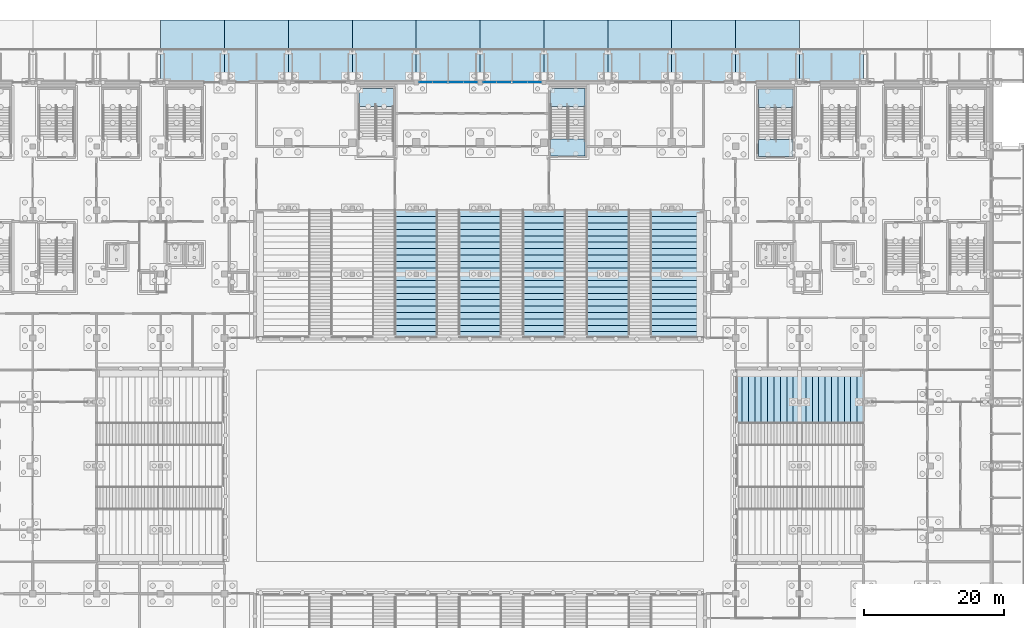
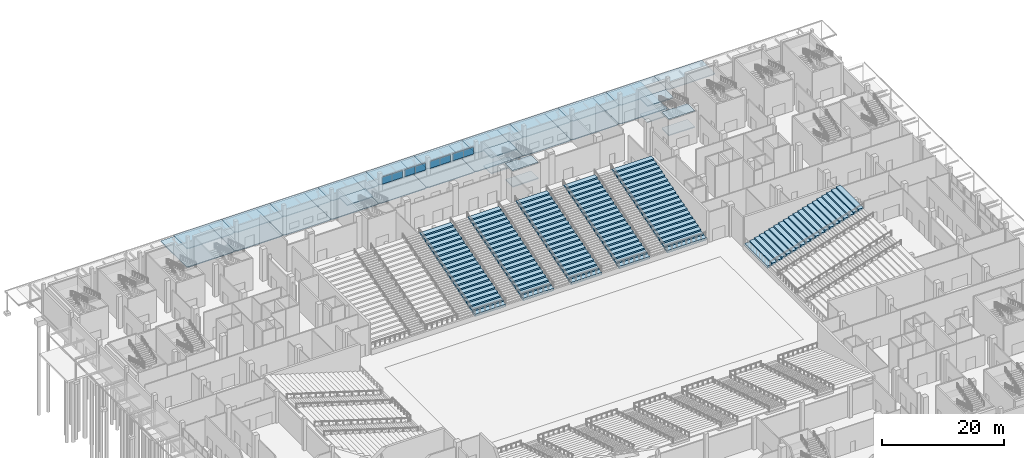
# One storey, part 64 of 129: 36 slabs, 8 plates, 7 elements without a shape of their own.
"""IFC4 building model written with IfcOpenShell, lengths in metres."""

from ifc_helpers import new_model, si_unit, direction, frame, origin, origin_2d, place, context, subcontext, project, spatial, polyline, rectangle, outline, extrude, material, layer, layer_set, type_object, element, aggregate, save


model = new_model("IFC4")

# Units and contexts
model_context = context("Model", 3, precision=1e-05, world=origin(), true_north=direction((0.0, 1.0)))
body_context = subcontext(model_context, "Body", "Model", "MODEL_VIEW")
ifc_project = project(units=[si_unit("LENGTHUNIT", "METRE"), si_unit("AREAUNIT", "SQUARE_METRE"), si_unit("VOLUMEUNIT", "CUBIC_METRE"), si_unit("PLANEANGLEUNIT", "RADIAN"), si_unit("MASSUNIT", "GRAM", prefix="KILO")], contexts=[model_context])

# Site, building, storey
site_placement = place(None, origin())
site = spatial("IfcSite", under=ifc_project, at=site_placement, CompositionType="ELEMENT")
building_placement = place(site_placement, origin())
building = spatial("IfcBuilding", under=site, at=building_placement, Name="Shirokan Park Arena", CompositionType="ELEMENT")
storey_placement = place(building_placement, origin())
storey = spatial("IfcBuildingStorey", under=building, at=storey_placement, Name="L00", CompositionType="ELEMENT", Elevation=0.0)

# Slabs
ifc_material_1 = material(Name="Zinc standing seam sheet")
ifc_layer_1 = layer(ifc_material_1, 0.0048828125, Name="Zinc standing seam sheet")
ifc_material_2 = material(Name="Mineral wool insulation")
ifc_layer_2 = layer(ifc_material_2, 0.050048828125, Name="Mineral wool insulation")
ifc_material_3 = material(Name="Cross-laminated timber deck", Category="wood")
ifc_layer_3 = layer(ifc_material_3, 0.094970703125, Name="Cross-laminated timber deck")
ifc_layer_set_1 = layer_set([ifc_layer_1, ifc_layer_2, ifc_layer_3], Name="Zinc standing seam sheet + Mineral wool insulation + Cross-laminated timber deck")
slab_type_1 = type_object("IfcSlabType", Name="Canopy deck 150", PredefinedType="ROOF", material=ifc_layer_set_1)
slab_1_placement = place(storey_placement, frame((0.0, 0.0, 3.60009765625)))
element("IfcSlab", 1, at=slab_1_placement, inside=storey, type_object=slab_type_1, Name="Canopy deck north bay 3", PredefinedType="ROOF", context=body_context, shape_type="SweptSolid", body=[
    extrude(outline(polyline([(118.574951171875, 109.35009765625), (118.574951171875, 109.47509765625), (118.300048828125, 109.47509765625), (118.300048828125, 113.85009765625), (127.39990234375, 113.85009765625), (127.39990234375, 109.47509765625), (127.125, 109.47509765625), (127.125, 109.35009765625), (118.574951171875, 109.35009765625)])), origin(), (0.0, 0.0, 1.0), 0.14990234375),
])
slab_2_placement = place(storey_placement, frame((0.0, 0.0, 3.60009765625)))
element("IfcSlab", 2, at=slab_2_placement, inside=storey, type_object=slab_type_1, Name="Canopy deck north bay 4", PredefinedType="ROOF", context=body_context, shape_type="SweptSolid", body=[
    extrude(outline(polyline([(109.52490234375, 109.35009765625), (109.52490234375, 109.52490234375), (109.199951171875, 109.52490234375), (109.199951171875, 113.85009765625), (118.300048828125, 113.85009765625), (118.300048828125, 109.47509765625), (118.02490234375, 109.47509765625), (118.02490234375, 109.35009765625), (109.52490234375, 109.35009765625)])), origin(), (0.0, 0.0, 1.0), 0.14990234375),
])
slab_3_placement = place(storey_placement, frame((0.0, 0.0, 3.60009765625)))
element("IfcSlab", 3, at=slab_3_placement, inside=storey, type_object=slab_type_1, Name="Canopy deck north bay 5", PredefinedType="ROOF", context=body_context, shape_type="SweptSolid", body=[
    extrude(outline(polyline([(100.425048828125, 109.35009765625), (100.425048828125, 109.52490234375), (100.10009765625, 109.52490234375), (100.10009765625, 113.85009765625), (109.199951171875, 113.85009765625), (109.199951171875, 109.52490234375), (108.875, 109.52490234375), (108.875, 109.35009765625), (100.425048828125, 109.35009765625)])), origin(), (0.0, 0.0, 1.0), 0.14990234375),
])
slab_4_placement = place(storey_placement, frame((0.0, 0.0, 3.60009765625)))
element("IfcSlab", 4, at=slab_4_placement, inside=storey, type_object=slab_type_1, Name="Canopy deck north bay 6", PredefinedType="ROOF", context=body_context, shape_type="SweptSolid", body=[
    extrude(outline(polyline([(91.324951171875, 109.35009765625), (91.324951171875, 109.52490234375), (91.0, 109.52490234375), (91.0, 113.85009765625), (100.10009765625, 113.85009765625), (100.10009765625, 109.52490234375), (99.77490234375, 109.52490234375), (99.77490234375, 109.35009765625), (91.324951171875, 109.35009765625)])), origin(), (0.0, 0.0, 1.0), 0.14990234375),
])
slab_5_placement = place(storey_placement, frame((0.0, 0.0, 3.60009765625)))
element("IfcSlab", 5, at=slab_5_placement, inside=storey, type_object=slab_type_1, Name="Canopy deck north bay 7", PredefinedType="ROOF", context=body_context, shape_type="SweptSolid", body=[
    extrude(outline(polyline([(82.199951171875, 109.35009765625), (82.199951171875, 109.5), (81.89990234375, 109.5), (81.89990234375, 113.85009765625), (91.0, 113.85009765625), (91.0, 109.52490234375), (90.675048828125, 109.52490234375), (90.675048828125, 109.35009765625), (82.199951171875, 109.35009765625)])), origin(), (0.0, 0.0, 1.0), 0.14990234375),
])
slab_6_placement = place(storey_placement, frame((0.0, 0.0, 3.60009765625)))
element("IfcSlab", 6, at=slab_6_placement, inside=storey, type_object=slab_type_1, Name="Canopy deck north bay 8", PredefinedType="ROOF", context=body_context, shape_type="SweptSolid", body=[
    extrude(outline(polyline([(73.125, 109.35009765625), (73.125, 109.52490234375), (72.800048828125, 109.52490234375), (72.800048828125, 113.85009765625), (81.89990234375, 113.85009765625), (81.89990234375, 109.5), (81.60009765625, 109.5), (81.60009765625, 109.35009765625), (73.125, 109.35009765625)])), origin(), (0.0, 0.0, 1.0), 0.14990234375),
])
slab_7_placement = place(storey_placement, frame((0.0, 0.0, 3.60009765625)))
element("IfcSlab", 7, at=slab_7_placement, inside=storey, type_object=slab_type_1, Name="Canopy deck north bay 9", PredefinedType="ROOF", context=body_context, shape_type="SweptSolid", body=[
    extrude(outline(polyline([(64.02490234375, 109.35009765625), (64.02490234375, 109.52490234375), (63.699951171875, 109.52490234375), (63.699951171875, 113.85009765625), (72.800048828125, 113.85009765625), (72.800048828125, 109.52490234375), (72.47509765625, 109.52490234375), (72.47509765625, 109.35009765625), (64.02490234375, 109.35009765625)])), origin(), (0.0, 0.0, 1.0), 0.14990234375),
])
slab_8_placement = place(storey_placement, frame((0.0, 0.0, 3.60009765625)))
element("IfcSlab", 8, at=slab_8_placement, inside=storey, type_object=slab_type_1, Name="Canopy deck north bay 10", PredefinedType="ROOF", context=body_context, shape_type="SweptSolid", body=[
    extrude(outline(polyline([(54.89990234375, 109.35009765625), (54.89990234375, 109.5), (54.60009765625, 109.5), (54.60009765625, 113.85009765625), (63.699951171875, 113.85009765625), (63.699951171875, 109.52490234375), (63.375, 109.52490234375), (63.375, 109.35009765625), (54.89990234375, 109.35009765625)])), origin(), (0.0, 0.0, 1.0), 0.14990234375),
])
slab_9_placement = place(storey_placement, frame((0.0, 0.0, 3.60009765625)))
element("IfcSlab", 9, at=slab_9_placement, inside=storey, type_object=slab_type_1, Name="Canopy deck north bay 11", PredefinedType="ROOF", context=body_context, shape_type="SweptSolid", body=[
    extrude(outline(polyline([(45.824951171875, 109.35009765625), (45.824951171875, 109.52490234375), (45.5, 109.52490234375), (45.5, 113.85009765625), (54.60009765625, 113.85009765625), (54.60009765625, 109.5), (54.300048828125, 109.5), (54.300048828125, 109.35009765625), (45.824951171875, 109.35009765625)])), origin(), (0.0, 0.0, 1.0), 0.14990234375),
])
slab_10_placement = place(storey_placement, frame((0.0, 0.0, 3.60009765625)))
element("IfcSlab", 10, at=slab_10_placement, inside=storey, type_object=slab_type_1, Name="Canopy deck north bay 12", PredefinedType="ROOF", context=body_context, shape_type="SweptSolid", body=[
    extrude(outline(polyline([(36.75, 109.35009765625), (36.75, 109.550048828125), (36.39990234375, 109.550048828125), (36.39990234375, 113.85009765625), (45.5, 113.85009765625), (45.5, 109.52490234375), (45.175048828125, 109.52490234375), (45.175048828125, 109.35009765625), (36.75, 109.35009765625)])), origin(), (0.0, 0.0, 1.0), 0.14990234375),
])
slab_11_placement = place(storey_placement, frame((0.0, 0.0, 3.60009765625)))
element("IfcSlab", 11, at=slab_11_placement, inside=storey, type_object=slab_type_1, Name="Canopy deck north bay 13", PredefinedType="ROOF", context=body_context, shape_type="SweptSolid", body=[
    extrude(outline(polyline([(27.574951171875, 109.35009765625), (27.574951171875, 109.47509765625), (27.300048828125, 109.47509765625), (27.300048828125, 113.85009765625), (36.39990234375, 113.85009765625), (36.39990234375, 109.550048828125), (36.050048828125, 109.550048828125), (36.050048828125, 109.35009765625), (27.574951171875, 109.35009765625)])), origin(), (0.0, 0.0, 1.0), 0.14990234375),
])

# Curtain wall, plates
ifc_material_4 = material(Name="Steel and glass curtain wall", Category="steel")
ifc_layer_4 = layer(ifc_material_4, 0.199951171875)
ifc_layer_set_2 = layer_set([ifc_layer_4], Name="Steel and glass curtain wall 200 mm")
curtain_wall_type = type_object("IfcCurtainWallType", Name="Curtain wall shopfront bay 200", PredefinedType="NOTDEFINED", material=ifc_layer_set_2)
curtain_wall_1_placement = place(storey_placement, origin())
curtain_wall_1 = element("IfcCurtainWall", 12, at=curtain_wall_1_placement, inside=storey, type_object=curtain_wall_type, Name="Curtain wall north bay 8 L00 clerestory 1", PredefinedType="NOTDEFINED")
ifc_material_5 = material(Name="Toughened glass", Category="glass")
ifc_layer_5 = layer(ifc_material_5, 0.012939453125, Name="Toughened glass")
ifc_material_6 = material(Name="Interlayer film")
ifc_layer_6 = layer(ifc_material_6, 0.001953125, Name="Interlayer film")
ifc_layer_7 = layer(ifc_material_5, 0.012939453125, Name="Toughened glass")
ifc_layer_set_3 = layer_set([ifc_layer_5, ifc_layer_6, ifc_layer_7], Name="Toughened glass + Interlayer film")
plate_type = type_object("IfcPlateType", Name="Laminated glass panel 28", PredefinedType="CURTAIN_PANEL", material=ifc_layer_set_3)
plate_1_placement = place(storey_placement, frame((80.5537109375, 109.25, 3.7900390625), z_axis=(0.0, 0.0, 1.0), x_axis=(-1.0, 0.0, 0.0)))
plate_1 = element("IfcPlate", 13, at=plate_1_placement, type_object=plate_type, Name="CW4 panel 1.1", PredefinedType="CURTAIN_PANEL", context=body_context, shape_type="SweptSolid", body=[
    extrude(rectangle(XDim=1.892578125, YDim=0.028076171875, at=origin_2d()), origin(), (0.0, 0.0, 1.0), 1.43994140625),
])
plate_2_placement = place(storey_placement, frame((78.561279296875, 109.25, 3.7900390625), z_axis=(0.0, 0.0, 1.0), x_axis=(-1.0, 0.0, 0.0)))
plate_2 = element("IfcPlate", 14, at=plate_2_placement, type_object=plate_type, Name="CW4 panel 2.1", PredefinedType="CURTAIN_PANEL", context=body_context, shape_type="SweptSolid", body=[
    extrude(rectangle(XDim=1.992431640625, YDim=0.028076171875, at=origin_2d()), origin(), (0.0, 0.0, 1.0), 1.43994140625),
])
aggregate(curtain_wall_1, [plate_1, plate_2])

curtain_wall_2_placement = place(storey_placement, origin())
curtain_wall_2 = element("IfcCurtainWall", 15, at=curtain_wall_2_placement, inside=storey, type_object=curtain_wall_type, Name="Curtain wall north bay 8 L00 clerestory 2", PredefinedType="NOTDEFINED")
plate_3_placement = place(storey_placement, frame((76.14501953125, 109.25, 3.7900390625), z_axis=(0.0, 0.0, 1.0), x_axis=(-1.0, 0.0, 0.0)))
plate_3 = element("IfcPlate", 16, at=plate_3_placement, type_object=plate_type, Name="CW4 panel 1.1", PredefinedType="CURTAIN_PANEL", context=body_context, shape_type="SweptSolid", body=[
    extrude(rectangle(XDim=1.97998046875, YDim=0.028076171875, at=origin_2d()), origin(), (0.0, 0.0, 1.0), 1.43994140625),
])
plate_4_placement = place(storey_placement, frame((74.1650390625, 109.25, 3.7900390625), z_axis=(0.0, 0.0, 1.0), x_axis=(-1.0, 0.0, 0.0)))
plate_4 = element("IfcPlate", 17, at=plate_4_placement, type_object=plate_type, Name="CW4 panel 2.1", PredefinedType="CURTAIN_PANEL", context=body_context, shape_type="SweptSolid", body=[
    extrude(rectangle(XDim=1.8798828125, YDim=0.028076171875, at=origin_2d()), origin(), (0.0, 0.0, 1.0), 1.43994140625),
])
aggregate(curtain_wall_2, [plate_3, plate_4])

curtain_wall_3_placement = place(storey_placement, origin())
curtain_wall_3 = element("IfcCurtainWall", 18, at=curtain_wall_3_placement, inside=storey, type_object=curtain_wall_type, Name="Curtain wall north bay 9 L00 clerestory 1", PredefinedType="NOTDEFINED")
plate_5_placement = place(storey_placement, frame((71.43505859375, 109.25, 3.7900390625), z_axis=(0.0, 0.0, 1.0), x_axis=(-1.0, 0.0, 0.0)))
plate_5 = element("IfcPlate", 19, at=plate_5_placement, type_object=plate_type, Name="CW4 panel 1.1", PredefinedType="CURTAIN_PANEL", context=body_context, shape_type="SweptSolid", body=[
    extrude(rectangle(XDim=1.8798828125, YDim=0.028076171875, at=origin_2d()), origin(), (0.0, 0.0, 1.0), 1.43994140625),
])
plate_6_placement = place(storey_placement, frame((69.455078125, 109.25, 3.7900390625), z_axis=(0.0, 0.0, 1.0), x_axis=(-1.0, 0.0, 0.0)))
plate_6 = element("IfcPlate", 20, at=plate_6_placement, type_object=plate_type, Name="CW4 panel 2.1", PredefinedType="CURTAIN_PANEL", context=body_context, shape_type="SweptSolid", body=[
    extrude(rectangle(XDim=1.97998046875, YDim=0.028076171875, at=origin_2d()), origin(), (0.0, 0.0, 1.0), 1.43994140625),
])
aggregate(curtain_wall_3, [plate_5, plate_6])

curtain_wall_4_placement = place(storey_placement, origin())
curtain_wall_4 = element("IfcCurtainWall", 21, at=curtain_wall_4_placement, inside=storey, type_object=curtain_wall_type, Name="Curtain wall north bay 9 L00 clerestory 2", PredefinedType="NOTDEFINED")
plate_7_placement = place(storey_placement, frame((67.044921875, 109.25, 3.7900390625), z_axis=(0.0, 0.0, 1.0), x_axis=(-1.0, 0.0, 0.0)))
plate_7 = element("IfcPlate", 22, at=plate_7_placement, type_object=plate_type, Name="CW4 panel 1.1", PredefinedType="CURTAIN_PANEL", context=body_context, shape_type="SweptSolid", body=[
    extrude(rectangle(XDim=1.97998046875, YDim=0.028076171875, at=origin_2d()), origin(), (0.0, 0.0, 1.0), 1.43994140625),
])
plate_8_placement = place(storey_placement, frame((65.06494140625, 109.25, 3.7900390625), z_axis=(0.0, 0.0, 1.0), x_axis=(-1.0, 0.0, 0.0)))
plate_8 = element("IfcPlate", 23, at=plate_8_placement, type_object=plate_type, Name="CW4 panel 2.1", PredefinedType="CURTAIN_PANEL", context=body_context, shape_type="SweptSolid", body=[
    extrude(rectangle(XDim=1.8798828125, YDim=0.028076171875, at=origin_2d()), origin(), (0.0, 0.0, 1.0), 1.43994140625),
])
aggregate(curtain_wall_4, [plate_7, plate_8])

# Slabs
ifc_material_7 = material(Name="Concrete C35", Category="concrete")
ifc_layer_8 = layer(ifc_material_7, 0.199951171875)
ifc_layer_set_4 = layer_set([ifc_layer_8], Name="Concrete C35 200 mm")
slab_type_2 = type_object("IfcSlabType", Name="RC seating tier lower 200", PredefinedType="USERDEFINED", material=ifc_layer_set_4)
for number, where, z_axis, x_axis, name in (
    (24, (63.699951171875, 72.800048828125, 1.050048828125), (0.0, 0.0, 1.0), (0.0, 1.0, 0.0), "Stand lower N 3"),
    (25, (72.800048828125, 72.800048828125, 1.050048828125), (0.0, 0.0, 1.0), (0.0, 1.0, 0.0), "Stand lower N 4"),
    (26, (81.89990234375, 72.800048828125, 1.050048828125), (0.0, 0.0, 1.0), (0.0, 1.0, 0.0), "Stand lower N 5"),
    (27, (91.0, 72.800048828125, 1.050048828125), (0.0, 0.0, 1.0), (0.0, 1.0, 0.0), "Stand lower N 6"),
):
    element("IfcSlab", number, at=place(storey_placement, frame(where, z_axis=z_axis, x_axis=x_axis)), inside=storey, type_object=slab_type_2, Name=name, ObjectType="SEATING TIER", PredefinedType="USERDEFINED", context=body_context, shape_type="SweptSolid", body=[
        extrude(outline(polyline([(0.0, 0.0), (0.909912109375, 0.0), (0.909912109375, 0.280029296875), (1.820068359375, 0.280029296875), (1.820068359375, 0.56005859375), (2.72998046875, 0.56005859375), (2.72998046875, 0.840087890625), (3.639892578125, 0.840087890625), (3.639892578125, 1.1201171875), (4.550048828125, 1.1201171875), (4.550048828125, 1.39990234375), (5.4599609375, 1.39990234375), (5.4599609375, 1.679931640625), (6.3701171875, 1.679931640625), (6.3701171875, 1.9599609375), (7.280029296875, 1.9599609375), (7.280029296875, 2.239990234375), (8.18994140625, 2.239990234375), (8.18994140625, 2.52001953125), (9.10009765625, 2.52001953125), (9.10009765625, 2.800048828125), (10.010009765625, 2.800048828125), (10.010009765625, 3.080078125), (10.919921875, 3.080078125), (10.919921875, 3.360107421875), (11.830078125, 3.360107421875), (11.830078125, 3.639892578125), (12.739990234375, 3.639892578125), (12.739990234375, 3.919921875), (13.64990234375, 3.919921875), (13.64990234375, 4.199951171875), (14.56005859375, 4.199951171875), (14.56005859375, 4.47998046875), (15.469970703125, 4.47998046875), (15.469970703125, 4.760009765625), (16.3798828125, 4.760009765625), (16.3798828125, 5.0400390625), (17.2900390625, 5.0400390625), (17.2900390625, 5.320068359375), (18.199951171875, 5.320068359375), (18.199951171875, 5.11083984375), (0.0, -0.4892578125), (0.0, 0.0)])), frame((0.0, 2.949951171875, 0.0), z_axis=(0.0, -1.0, 0.0), x_axis=(1.0, 0.0, 0.0)), (0.0, 0.0, 1.0), 5.89990234375),
    ])
for number, where, z_axis, x_axis, name in (
    (28, (100.89990234375, 72.800048828125, 1.050048828125), (0.0, 0.0, 1.0), (0.0, 1.0, 0.0), "Stand lower N 7"),
    (29, (109.199951171875, 64.5, 1.050048828125), (0.0, 0.0, 1.0), (1.0, 0.0, 0.0), "Stand lower E 3"),
):
    element("IfcSlab", number, at=place(storey_placement, frame(where, z_axis=z_axis, x_axis=x_axis)), inside=storey, type_object=slab_type_2, Name=name, ObjectType="SEATING TIER", PredefinedType="USERDEFINED", context=body_context, shape_type="SweptSolid", body=[
        extrude(outline(polyline([(0.0, 0.0), (0.909912109375, 0.0), (0.909912109375, 0.280029296875), (1.820068359375, 0.280029296875), (1.820068359375, 0.56005859375), (2.72998046875, 0.56005859375), (2.72998046875, 0.840087890625), (3.639892578125, 0.840087890625), (3.639892578125, 1.1201171875), (4.550048828125, 1.1201171875), (4.550048828125, 1.39990234375), (5.4599609375, 1.39990234375), (5.4599609375, 1.679931640625), (6.3701171875, 1.679931640625), (6.3701171875, 1.9599609375), (7.280029296875, 1.9599609375), (7.280029296875, 2.239990234375), (8.18994140625, 2.239990234375), (8.18994140625, 2.52001953125), (9.10009765625, 2.52001953125), (9.10009765625, 2.800048828125), (10.010009765625, 2.800048828125), (10.010009765625, 3.080078125), (10.919921875, 3.080078125), (10.919921875, 3.360107421875), (11.830078125, 3.360107421875), (11.830078125, 3.639892578125), (12.739990234375, 3.639892578125), (12.739990234375, 3.919921875), (13.64990234375, 3.919921875), (13.64990234375, 4.199951171875), (14.56005859375, 4.199951171875), (14.56005859375, 4.47998046875), (15.469970703125, 4.47998046875), (15.469970703125, 4.760009765625), (16.3798828125, 4.760009765625), (16.3798828125, 5.0400390625), (17.2900390625, 5.0400390625), (17.2900390625, 5.320068359375), (18.199951171875, 5.320068359375), (18.199951171875, 5.11083984375), (0.0, -0.4892578125), (0.0, 0.0)])), frame((0.0, 3.75, 0.0), z_axis=(0.0, -1.0, 0.0), x_axis=(1.0, 0.0, 0.0)), (0.0, 0.0, 1.0), 7.5),
    ])

# Stair, slabs
ifc_material_8 = material(Name="Concrete C30 precast", Category="concrete")
stair_type = type_object("IfcStairType", Name="Stair 52 risers 122 x 385 2400 wide", PredefinedType="DOUBLE_RETURN_STAIR", material=ifc_material_8)
stair_1_placement = place(storey_placement, origin())
stair_1 = element("IfcStair", 30, at=stair_1_placement, inside=storey, type_object=stair_type, Name="Exit Stair 3.D L00 to L01", PredefinedType="DOUBLE_RETURN_STAIR")
ifc_layer_9 = layer(ifc_material_8, 0.199951171875)
ifc_layer_set_5 = layer_set([ifc_layer_9], Name="Concrete C30 precast 200 mm")
slab_type_3 = type_object("IfcSlabType", Name="Stair landing 200", PredefinedType="LANDING", material=ifc_layer_set_5)
slab_12_placement = place(storey_placement, frame((0.0, 0.0, 1.392578125)))
slab_12 = element("IfcSlab", 31, at=slab_12_placement, type_object=slab_type_3, Name="ST19.1 landing 1", PredefinedType="LANDING", context=body_context, shape_type="SweptSolid", body=[
    extrude(outline(polyline([(112.449951171875, 105.669921875), (117.35009765625, 105.669921875), (117.35009765625, 108.25), (112.449951171875, 108.25), (112.449951171875, 105.669921875)])), origin(), (0.0, 0.0, 1.0), 0.199951171875),
])
slab_13_placement = place(storey_placement, frame((0.0, 0.0, 2.985107421875)))
slab_13 = element("IfcSlab", 32, at=slab_13_placement, type_object=slab_type_3, Name="ST19.1 landing 2", PredefinedType="LANDING", context=body_context, shape_type="SweptSolid", body=[
    extrude(outline(polyline([(112.449951171875, 98.64990234375), (117.35009765625, 98.64990234375), (117.35009765625, 101.050048828125), (112.449951171875, 101.050048828125), (112.449951171875, 98.64990234375)])), origin(), (0.0, 0.0, 1.0), 0.199951171875),
])
slab_14_placement = place(storey_placement, frame((0.0, 0.0, 4.577392578125)))
slab_14 = element("IfcSlab", 33, at=slab_14_placement, type_object=slab_type_3, Name="ST19.1 landing 3", PredefinedType="LANDING", context=body_context, shape_type="SweptSolid", body=[
    extrude(outline(polyline([(112.449951171875, 105.669921875), (117.35009765625, 105.669921875), (117.35009765625, 108.25), (112.449951171875, 108.25), (112.449951171875, 105.669921875)])), origin(), (0.0, 0.0, 1.0), 0.2001953125),
])
slab_15_placement = place(storey_placement, frame((0.0, 0.0, 6.169921875)))
slab_15 = element("IfcSlab", 34, at=slab_15_placement, type_object=slab_type_3, Name="ST19.1 landing 4", PredefinedType="LANDING", context=body_context, shape_type="SweptSolid", body=[
    extrude(outline(polyline([(112.449951171875, 98.64990234375), (117.35009765625, 98.64990234375), (117.35009765625, 101.050048828125), (112.449951171875, 101.050048828125), (112.449951171875, 98.64990234375)])), origin(), (0.0, 0.0, 1.0), 0.2001953125),
])
aggregate(stair_1, [slab_12, slab_13, slab_14, slab_15])

# Stair, slab
stair_2_placement = place(storey_placement, origin())
stair_2 = element("IfcStair", 35, at=stair_2_placement, inside=storey, type_object=stair_type, Name="Entrance Stair E4.1 L00 to L01", PredefinedType="DOUBLE_RETURN_STAIR")
slab_16_placement = place(storey_placement, frame((0.0, 0.0, 4.577392578125)))
slab_16 = element("IfcSlab", 36, at=slab_16_placement, type_object=slab_type_3, Name="ST22.1 landing 3", PredefinedType="LANDING", context=body_context, shape_type="SweptSolid", body=[
    extrude(outline(polyline([(55.550048828125, 105.77001953125), (60.449951171875, 105.77001953125), (60.449951171875, 108.35009765625), (55.550048828125, 108.35009765625), (55.550048828125, 105.77001953125)])), origin(), (0.0, 0.0, 1.0), 0.2001953125),
])
aggregate(stair_2, [slab_16])

# Stair, slabs
stair_3_placement = place(storey_placement, origin())
stair_3 = element("IfcStair", 37, at=stair_3_placement, inside=storey, type_object=stair_type, Name="Entrance Stair E4.2 L00 to L01", PredefinedType="DOUBLE_RETURN_STAIR")
slab_17_placement = place(storey_placement, frame((0.0, 0.0, 1.392578125)))
slab_17 = element("IfcSlab", 38, at=slab_17_placement, type_object=slab_type_3, Name="ST23.1 landing 1", PredefinedType="LANDING", context=body_context, shape_type="SweptSolid", body=[
    extrude(outline(polyline([(82.85009765625, 105.77001953125), (87.75, 105.77001953125), (87.75, 108.35009765625), (82.85009765625, 108.35009765625), (82.85009765625, 105.77001953125)])), origin(), (0.0, 0.0, 1.0), 0.199951171875),
])
slab_18_placement = place(storey_placement, frame((0.0, 0.0, 2.985107421875)))
slab_18 = element("IfcSlab", 39, at=slab_18_placement, type_object=slab_type_3, Name="ST23.1 landing 2", PredefinedType="LANDING", context=body_context, shape_type="SweptSolid", body=[
    extrude(outline(polyline([(82.85009765625, 98.75), (87.75, 98.75), (87.75, 101.14990234375), (82.85009765625, 101.14990234375), (82.85009765625, 98.75)])), origin(), (0.0, 0.0, 1.0), 0.199951171875),
])
slab_19_placement = place(storey_placement, frame((0.0, 0.0, 4.577392578125)))
slab_19 = element("IfcSlab", 40, at=slab_19_placement, type_object=slab_type_3, Name="ST23.1 landing 3", PredefinedType="LANDING", context=body_context, shape_type="SweptSolid", body=[
    extrude(outline(polyline([(82.85009765625, 105.77001953125), (87.75, 105.77001953125), (87.75, 108.35009765625), (82.85009765625, 108.35009765625), (82.85009765625, 105.77001953125)])), origin(), (0.0, 0.0, 1.0), 0.2001953125),
])
slab_20_placement = place(storey_placement, frame((0.0, 0.0, 6.169921875)))
slab_20 = element("IfcSlab", 41, at=slab_20_placement, type_object=slab_type_3, Name="ST23.1 landing 4", PredefinedType="LANDING", context=body_context, shape_type="SweptSolid", body=[
    extrude(outline(polyline([(82.85009765625, 98.75), (87.75, 98.75), (87.75, 101.14990234375), (82.85009765625, 101.14990234375), (82.85009765625, 98.75)])), origin(), (0.0, 0.0, 1.0), 0.2001953125),
])
aggregate(stair_3, [slab_17, slab_18, slab_19, slab_20])

# Slabs
ifc_material_9 = material(Name="Hardwood decking", Category="wood")
ifc_layer_10 = layer(ifc_material_9, 0.030029296875, Name="Hardwood decking")
ifc_material_10 = material(Name="Timber joists and battens", Category="wood")
ifc_layer_11 = layer(ifc_material_10, 0.10009765625, Name="Timber joists and battens")
ifc_material_11 = material(Name="Waterproofing membrane")
ifc_layer_12 = layer(ifc_material_11, 0.02001953125, Name="Waterproofing membrane")
ifc_layer_set_6 = layer_set([ifc_layer_10, ifc_layer_11, ifc_layer_12], Name="Hardwood decking + Timber joists and battens + Waterproofing membrane")
slab_type_4 = type_object("IfcSlabType", Name="Timber engawa deck 150", PredefinedType="FLOOR", material=ifc_layer_set_6)
slab_21_placement = place(storey_placement, frame((0.0, 0.0, -0.14990234375)))
element("IfcSlab", 42, at=slab_21_placement, inside=storey, type_object=slab_type_4, Name="Engawa deck bay 4", PredefinedType="FLOOR", context=body_context, shape_type="SweptSolid", body=[
    extrude(outline(polyline([(109.52490234375, 109.52490234375), (109.199951171875, 109.52490234375), (109.199951171875, 113.52490234375), (109.300048828125, 113.52490234375), (109.300048828125, 113.72509765625), (109.199951171875, 113.72509765625), (109.199951171875, 118.10009765625), (118.300048828125, 118.10009765625), (118.300048828125, 113.72509765625), (118.199951171875, 113.72509765625), (118.199951171875, 113.52490234375), (118.300048828125, 113.52490234375), (118.300048828125, 109.47509765625), (118.02490234375, 109.47509765625), (118.02490234375, 109.39990234375), (109.52490234375, 109.39990234375), (109.52490234375, 109.52490234375)])), origin(), (0.0, 0.0, 1.0), 0.14990234375),
])
slab_22_placement = place(storey_placement, frame((0.0, 0.0, -0.14990234375)))
element("IfcSlab", 43, at=slab_22_placement, inside=storey, type_object=slab_type_4, Name="Engawa deck bay 5", PredefinedType="FLOOR", context=body_context, shape_type="SweptSolid", body=[
    extrude(outline(polyline([(100.425048828125, 109.52490234375), (100.10009765625, 109.52490234375), (100.10009765625, 113.52490234375), (100.199951171875, 113.52490234375), (100.199951171875, 113.72509765625), (100.10009765625, 113.72509765625), (100.10009765625, 118.10009765625), (109.199951171875, 118.10009765625), (109.199951171875, 113.72509765625), (109.10009765625, 113.72509765625), (109.10009765625, 113.52490234375), (109.199951171875, 113.52490234375), (109.199951171875, 109.52490234375), (108.875, 109.52490234375), (108.875, 109.39990234375), (100.425048828125, 109.39990234375), (100.425048828125, 109.52490234375)])), origin(), (0.0, 0.0, 1.0), 0.14990234375),
])
slab_23_placement = place(storey_placement, frame((0.0, 0.0, -0.14990234375)))
element("IfcSlab", 44, at=slab_23_placement, inside=storey, type_object=slab_type_4, Name="Engawa deck bay 6", PredefinedType="FLOOR", context=body_context, shape_type="SweptSolid", body=[
    extrude(outline(polyline([(91.324951171875, 109.52490234375), (91.0, 109.52490234375), (91.0, 113.52490234375), (91.10009765625, 113.52490234375), (91.10009765625, 113.72509765625), (91.0, 113.72509765625), (91.0, 118.10009765625), (100.10009765625, 118.10009765625), (100.10009765625, 113.72509765625), (100.0, 113.72509765625), (100.0, 113.52490234375), (100.10009765625, 113.52490234375), (100.10009765625, 109.52490234375), (99.77490234375, 109.52490234375), (99.77490234375, 109.39990234375), (91.324951171875, 109.39990234375), (91.324951171875, 109.52490234375)])), origin(), (0.0, 0.0, 1.0), 0.14990234375),
])
slab_24_placement = place(storey_placement, frame((0.0, 0.0, -0.14990234375)))
element("IfcSlab", 45, at=slab_24_placement, inside=storey, type_object=slab_type_4, Name="Engawa deck bay 7", PredefinedType="FLOOR", context=body_context, shape_type="SweptSolid", body=[
    extrude(outline(polyline([(82.199951171875, 109.5), (81.89990234375, 109.5), (81.89990234375, 113.52490234375), (82.0, 113.52490234375), (82.0, 113.72509765625), (81.89990234375, 113.72509765625), (81.89990234375, 118.10009765625), (91.0, 118.10009765625), (91.0, 113.72509765625), (90.89990234375, 113.72509765625), (90.89990234375, 113.52490234375), (91.0, 113.52490234375), (91.0, 109.52490234375), (90.675048828125, 109.52490234375), (90.675048828125, 109.39990234375), (82.199951171875, 109.39990234375), (82.199951171875, 109.5)])), origin(), (0.0, 0.0, 1.0), 0.14990234375),
])
slab_25_placement = place(storey_placement, frame((0.0, 0.0, -0.14990234375)))
element("IfcSlab", 46, at=slab_25_placement, inside=storey, type_object=slab_type_4, Name="Engawa deck bay 8", PredefinedType="FLOOR", context=body_context, shape_type="SweptSolid", body=[
    extrude(outline(polyline([(73.125, 109.52490234375), (72.800048828125, 109.52490234375), (72.800048828125, 113.52490234375), (72.89990234375, 113.52490234375), (72.89990234375, 113.72509765625), (72.800048828125, 113.72509765625), (72.800048828125, 118.10009765625), (81.89990234375, 118.10009765625), (81.89990234375, 113.72509765625), (81.800048828125, 113.72509765625), (81.800048828125, 113.52490234375), (81.89990234375, 113.52490234375), (81.89990234375, 109.5), (81.60009765625, 109.5), (81.60009765625, 109.39990234375), (73.125, 109.39990234375), (73.125, 109.52490234375)])), origin(), (0.0, 0.0, 1.0), 0.14990234375),
])
slab_26_placement = place(storey_placement, frame((0.0, 0.0, -0.14990234375)))
element("IfcSlab", 47, at=slab_26_placement, inside=storey, type_object=slab_type_4, Name="Engawa deck bay 9", PredefinedType="FLOOR", context=body_context, shape_type="SweptSolid", body=[
    extrude(outline(polyline([(64.02490234375, 109.52490234375), (63.699951171875, 109.52490234375), (63.699951171875, 113.52490234375), (63.800048828125, 113.52490234375), (63.800048828125, 113.72509765625), (63.699951171875, 113.72509765625), (63.699951171875, 118.10009765625), (72.800048828125, 118.10009765625), (72.800048828125, 113.72509765625), (72.699951171875, 113.72509765625), (72.699951171875, 113.52490234375), (72.800048828125, 113.52490234375), (72.800048828125, 109.52490234375), (72.47509765625, 109.52490234375), (72.47509765625, 109.39990234375), (64.02490234375, 109.39990234375), (64.02490234375, 109.52490234375)])), origin(), (0.0, 0.0, 1.0), 0.14990234375),
])
slab_27_placement = place(storey_placement, frame((0.0, 0.0, -0.14990234375)))
element("IfcSlab", 48, at=slab_27_placement, inside=storey, type_object=slab_type_4, Name="Engawa deck bay 10", PredefinedType="FLOOR", context=body_context, shape_type="SweptSolid", body=[
    extrude(outline(polyline([(54.89990234375, 109.5), (54.60009765625, 109.5), (54.60009765625, 113.52490234375), (54.699951171875, 113.52490234375), (54.699951171875, 113.72509765625), (54.60009765625, 113.72509765625), (54.60009765625, 118.10009765625), (63.699951171875, 118.10009765625), (63.699951171875, 113.72509765625), (63.60009765625, 113.72509765625), (63.60009765625, 113.52490234375), (63.699951171875, 113.52490234375), (63.699951171875, 109.52490234375), (63.375, 109.52490234375), (63.375, 109.39990234375), (54.89990234375, 109.39990234375), (54.89990234375, 109.5)])), origin(), (0.0, 0.0, 1.0), 0.14990234375),
])
slab_28_placement = place(storey_placement, frame((0.0, 0.0, -0.14990234375)))
element("IfcSlab", 49, at=slab_28_placement, inside=storey, type_object=slab_type_4, Name="Engawa deck bay 11", PredefinedType="FLOOR", context=body_context, shape_type="SweptSolid", body=[
    extrude(outline(polyline([(45.824951171875, 109.52490234375), (45.5, 109.52490234375), (45.5, 113.52490234375), (45.60009765625, 113.52490234375), (45.60009765625, 113.72509765625), (45.5, 113.72509765625), (45.5, 118.10009765625), (54.60009765625, 118.10009765625), (54.60009765625, 113.72509765625), (54.5, 113.72509765625), (54.5, 113.52490234375), (54.60009765625, 113.52490234375), (54.60009765625, 109.5), (54.300048828125, 109.5), (54.300048828125, 109.39990234375), (45.824951171875, 109.39990234375), (45.824951171875, 109.52490234375)])), origin(), (0.0, 0.0, 1.0), 0.14990234375),
])
slab_29_placement = place(storey_placement, frame((0.0, 0.0, -0.14990234375)))
element("IfcSlab", 50, at=slab_29_placement, inside=storey, type_object=slab_type_4, Name="Engawa deck bay 12", PredefinedType="FLOOR", context=body_context, shape_type="SweptSolid", body=[
    extrude(outline(polyline([(36.75, 109.550048828125), (36.39990234375, 109.550048828125), (36.39990234375, 113.52490234375), (36.5, 113.52490234375), (36.5, 113.72509765625), (36.39990234375, 113.72509765625), (36.39990234375, 118.10009765625), (45.5, 118.10009765625), (45.5, 113.72509765625), (45.39990234375, 113.72509765625), (45.39990234375, 113.52490234375), (45.5, 113.52490234375), (45.5, 109.52490234375), (45.175048828125, 109.52490234375), (45.175048828125, 109.39990234375), (36.75, 109.39990234375), (36.75, 109.550048828125)])), origin(), (0.0, 0.0, 1.0), 0.14990234375),
])
slab_30_placement = place(storey_placement, frame((0.0, 0.0, -0.14990234375)))
element("IfcSlab", 51, at=slab_30_placement, inside=storey, type_object=slab_type_4, Name="Engawa deck bay 13", PredefinedType="FLOOR", context=body_context, shape_type="SweptSolid", body=[
    extrude(outline(polyline([(27.574951171875, 109.47509765625), (27.300048828125, 109.47509765625), (27.300048828125, 113.52490234375), (27.39990234375, 113.52490234375), (27.39990234375, 113.72509765625), (27.300048828125, 113.72509765625), (27.300048828125, 118.10009765625), (36.39990234375, 118.10009765625), (36.39990234375, 113.72509765625), (36.300048828125, 113.72509765625), (36.300048828125, 113.52490234375), (36.39990234375, 113.52490234375), (36.39990234375, 109.550048828125), (36.050048828125, 109.550048828125), (36.050048828125, 109.39990234375), (27.574951171875, 109.39990234375), (27.574951171875, 109.47509765625)])), origin(), (0.0, 0.0, 1.0), 0.14990234375),
])

save(model, "model.ifc")
